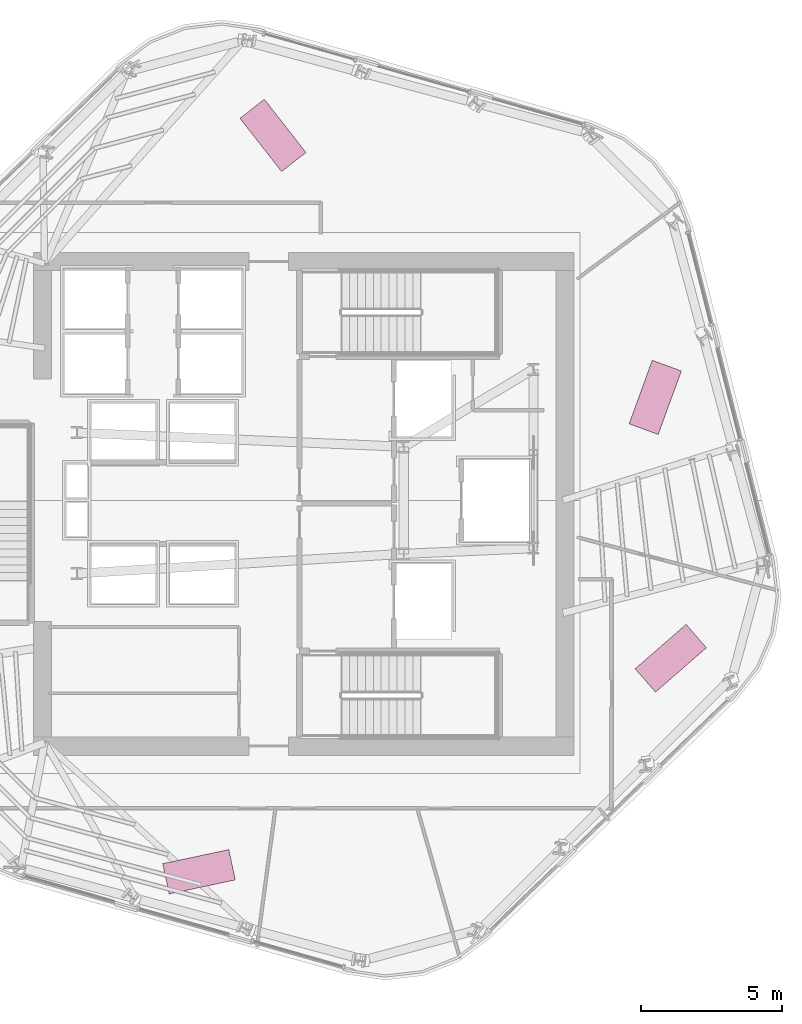
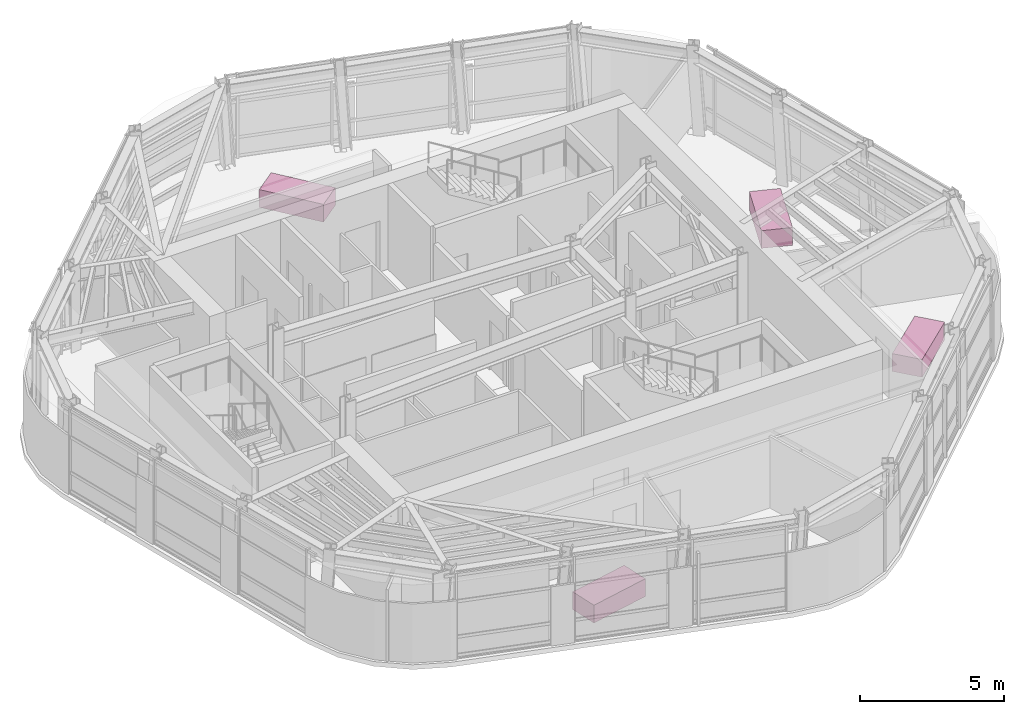
# One storey, part 14 of 14: 4 furniture elements.
"""IFC4 building model written with IfcOpenShell, lengths in metres."""

from ifc_helpers import new_model, si_unit, direction, frame, origin, origin_2d, place, context, subcontext, project, spatial, rectangle, extrude, material, type_object, element, save


model = new_model("IFC4")

# Units and contexts
model_context = context("Model", 3, precision=1e-05, world=origin(), true_north=direction((0.0, 1.0)))
body_context = subcontext(model_context, "Body", "Model", "MODEL_VIEW")
ifc_project = project(units=[si_unit("LENGTHUNIT", "METRE"), si_unit("AREAUNIT", "SQUARE_METRE"), si_unit("VOLUMEUNIT", "CUBIC_METRE"), si_unit("PLANEANGLEUNIT", "RADIAN"), si_unit("MASSUNIT", "GRAM", prefix="KILO")], contexts=[model_context])

# Site, building, storey
site_placement = place(None, origin())
site = spatial("IfcSite", under=ifc_project, at=site_placement, CompositionType="ELEMENT")
building_placement = place(site_placement, origin())
building = spatial("IfcBuilding", under=site, at=building_placement, Name="Valkerne Bourse Tower", CompositionType="ELEMENT")
storey_placement = place(building_placement, frame((0.0, 0.0, 213.199951171875)))
storey = spatial("IfcBuildingStorey", under=building, at=storey_placement, Name="L54", CompositionType="ELEMENT", Elevation=213.199951171875)

# Furniture
ifc_material = material(Name="Architectural White Oak Timber", Category="wood")
furniture_type = type_object("IfcFurnitureType", Name="FURN-DESK-2400", AssemblyPlace="NOTDEFINED", PredefinedType="DESK", material=ifc_material)
for number, where, z_axis, x_axis, name in (
    (1, (43.0810546875, 13.81298828125, 0.045166015625), (0.0, 0.0, 1.0), (0.978147600734, 0.207911690818, 0.0), "L54 Suite Worktable 06"),
    (2, (59.8291015625, 21.39306640625, 0.045166015625), (0.0, 0.0, 1.0), (0.754709580223, 0.656059028991, 0.0), "L54 Suite Worktable 07"),
    (3, (59.277099609375, 30.654052734375, 0.045166015625), (0.0, 0.0, 1.0), (0.342020143326, 0.939692620786, 0.0), "L54 Suite Worktable 08"),
    (4, (45.7060546875, 39.952880859375, 0.045166015625), (0.0, 0.0, 1.0), (-0.615661475326, 0.788010753607, 0.0), "L54 Suite Worktable 10"),
):
    element("IfcFurniture", number, at=place(storey_placement, frame(where, z_axis=z_axis, x_axis=x_axis)), inside=storey, type_object=furniture_type, Name=name, PredefinedType="DESK", context=body_context, shape_type="SweptSolid", body=[
        extrude(rectangle(XDim=2.39990234375, YDim=1.10009765625, at=origin_2d()), origin(), (0.0, 0.0, 1.0), 0.75),
    ])

save(model, "model.ifc")
